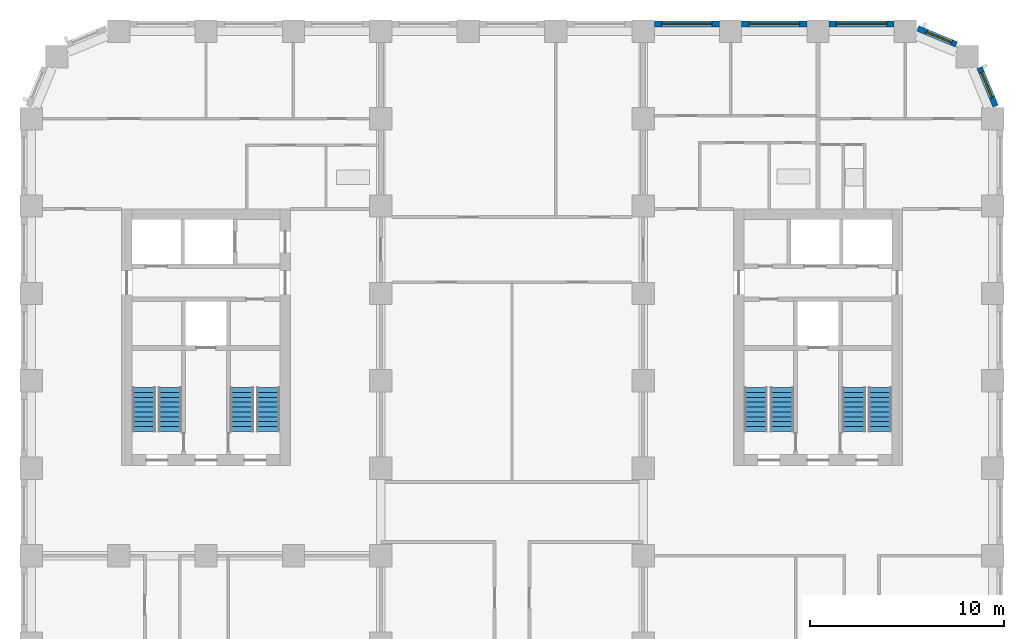
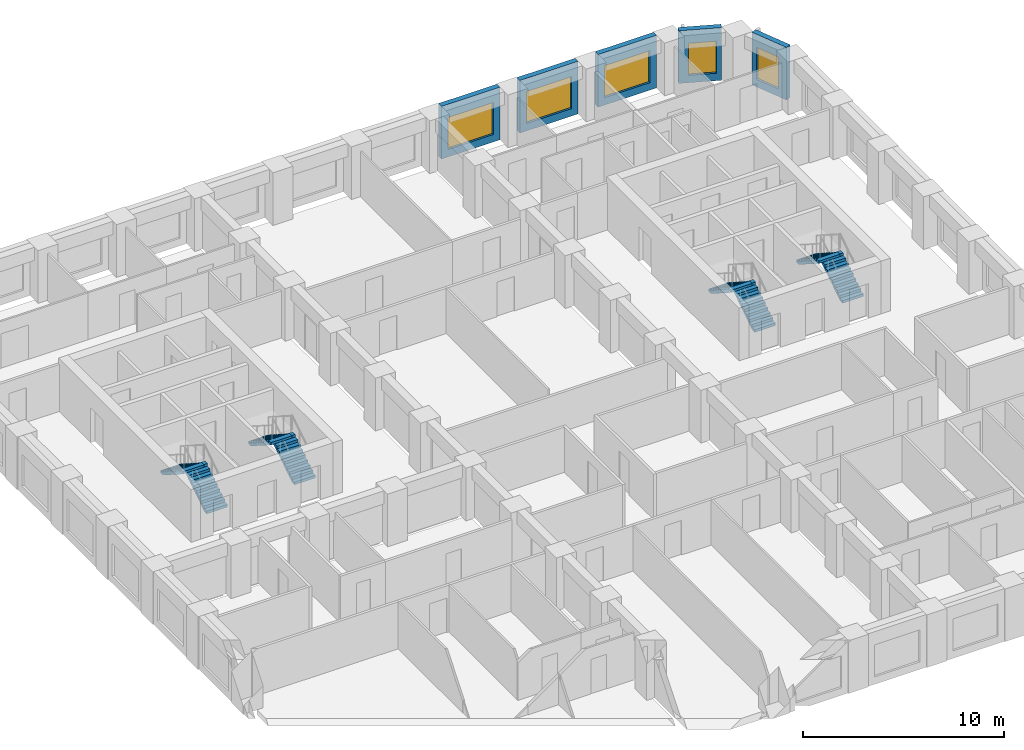
# One storey, part 9 of 12: 8 stair flights, 5 walls, 5 windows, 5 openings, 4 elements without a shape of their own.
"""IFC4 building model written with IfcOpenShell, lengths in metres."""

import ifcopenshell
import ifcopenshell.guid

model = None  # the IFC model being written
_history = None  # IfcOwnerHistory: only IFC2X3 demands one
_inside = {}  # id of a spatial element -> (the spatial element, [elements in it])
_under = {}  # id of a project, library or spatial element -> (it, [spatial elements below it])
_declared = {}  # id of a project -> (the project, [libraries it declares])
_typed = {}  # id of a type object -> (the type object, [elements of that type])
_made_of = {}  # id of a material, layer set ... -> (it, [elements and type objects made of it])


def new_model(schema):
    """Start an empty IFC model of exactly this schema.

    Asked for "IFC4X3", IfcOpenShell would pick the latest addendum, in which some entities
    have other attributes; the version numbers below select the first issue.
    IFC2X3 requires an IfcOwnerHistory on every rooted entity: one is made here for all.
    """
    global model, _history
    if schema == "IFC4X3":
        model = ifcopenshell.file(schema_version=(4, 3, 0, 0))
    else:
        model = ifcopenshell.file(schema=schema)
    _inside.clear()
    _under.clear()
    _declared.clear()
    _typed.clear()
    _made_of.clear()
    _history = None
    if model.schema == "IFC2X3":
        org = make("IfcOrganization", Name="unknown")
        user = make(
            "IfcPersonAndOrganization",
            ThePerson=make("IfcPerson", FamilyName="unknown"),
            TheOrganization=org,
        )
        app = make(
            "IfcApplication",
            ApplicationDeveloper=org,
            Version="unknown",
            ApplicationFullName="unknown",
            ApplicationIdentifier="unknown",
        )
        _history = make(
            "IfcOwnerHistory",
            OwningUser=user,
            OwningApplication=app,
            ChangeAction="ADDED",
            CreationDate=0,
        )
    return model


def make(cls, **values):
    """One entity of the class cls with the attributes given. An attribute that is None is left unset."""
    return model.create_entity(
        cls, **{name: value for name, value in values.items() if value is not None}
    )


def rooted(cls, **values):
    """An entity with a GlobalId (a new one), such as an element, a storey or a relation."""
    return make(cls, GlobalId=ifcopenshell.guid.new(), OwnerHistory=_history, **values)


def si_unit(unit_type, name, prefix=None):
    """IfcSIUnit, for example si_unit("LENGTHUNIT", "METRE", prefix="MILLI")."""
    return make("IfcSIUnit", UnitType=unit_type, Prefix=prefix, Name=name)


def assignment(units):
    """IfcUnitAssignment: the units of a project."""
    return None if units is None else make("IfcUnitAssignment", Units=units)


def point(xyz):
    """IfcCartesianPoint."""
    return None if xyz is None else make("IfcCartesianPoint", Coordinates=xyz)


def direction(xyz):
    """IfcDirection."""
    return None if xyz is None else make("IfcDirection", DirectionRatios=xyz)


def frame(location, z_axis=None, x_axis=None):
    """IfcAxis2Placement3D, a coordinate frame: its origin and axes. An axis left out is left unset."""
    return make(
        "IfcAxis2Placement3D",
        Location=point(location),
        Axis=direction(z_axis),
        RefDirection=direction(x_axis),
    )


def frame_2d(location, x_axis=None):
    """IfcAxis2Placement2D, a coordinate frame in the plane: its origin and x axis."""
    return make(
        "IfcAxis2Placement2D", Location=point(location), RefDirection=direction(x_axis)
    )


def origin():
    """The frame at (0, 0, 0) with its axes left unset."""
    return frame((0.0, 0.0, 0.0))


def place(relative_to, where):
    """IfcLocalPlacement: puts the frame where relative to a parent placement (None: the world)."""
    return make(
        "IfcLocalPlacement", PlacementRelTo=relative_to, RelativePlacement=where
    )


def context(
    kind, dimensions, precision=None, world=None, true_north=None, identifier=None
):
    """IfcGeometricRepresentationContext, for example the 3D "Model" context."""
    return make(
        "IfcGeometricRepresentationContext",
        ContextIdentifier=identifier,
        ContextType=kind,
        CoordinateSpaceDimension=dimensions,
        Precision=precision,
        WorldCoordinateSystem=world,
        TrueNorth=true_north,
    )


def subcontext(parent, identifier, kind, view, scale=None):
    """IfcGeometricRepresentationSubContext, for example "Body" below "Model"."""
    return make(
        "IfcGeometricRepresentationSubContext",
        ContextIdentifier=identifier,
        ContextType=kind,
        ParentContext=parent,
        TargetScale=scale,
        TargetView=view,
    )


def project(units=None, contexts=None):
    """IfcProject with its units and contexts."""
    return rooted(
        "IfcProject",
        Name="project",
        RepresentationContexts=contexts,
        UnitsInContext=assignment(units),
    )


def spatial(cls, under=None, at=None, **own):
    """A site, building, storey or space (cls), placed at a placement, below another one or the project."""
    s = rooted(cls, ObjectPlacement=at, **own)
    if under is not None:
        _under.setdefault(under.id(), (under, []))[1].append(s)
    return s


def polyline(points):
    """IfcPolyline through the points."""
    return make("IfcPolyline", Points=[point(p) for p in points])


def profile(cls, at=None, kind="AREA", **sizes):
    """A parametric profile (cls). Its sizes go by their IFC names, for example OverallWidth=200.0."""
    return make(cls, ProfileType=kind, Position=at, **sizes)


def rectangle(**sizes):
    """IfcRectangleProfileDef."""
    return profile("IfcRectangleProfileDef", **sizes)


def outline(outer, holes=None, kind="AREA"):
    """IfcArbitraryClosedProfileDef: a profile drawn as a closed curve; with holes, ...WithVoids."""
    if holes is None:
        return make("IfcArbitraryClosedProfileDef", ProfileType=kind, OuterCurve=outer)
    return make(
        "IfcArbitraryProfileDefWithVoids",
        ProfileType=kind,
        OuterCurve=outer,
        InnerCurves=holes,
    )


def extrude(swept, where, along, depth):
    """IfcExtrudedAreaSolid: the profile swept, set in the frame where, extruded along a direction by depth."""
    return make(
        "IfcExtrudedAreaSolid",
        SweptArea=swept,
        Position=where,
        ExtrudedDirection=direction(along),
        Depth=depth,
    )


def shape(context_of_items, identifier, shape_type, items):
    """IfcShapeRepresentation: the items that make up one representation, for example the "Body"."""
    return make(
        "IfcShapeRepresentation",
        ContextOfItems=context_of_items,
        RepresentationIdentifier=identifier,
        RepresentationType=shape_type,
        Items=items,
    )


def material(Name=None, Category=None):
    """IfcMaterial."""
    return make("IfcMaterial", Name=Name, Category=Category)


def layer(
    of_material, thickness, ventilated=None, Name=None, Category=None, Priority=None
):
    """IfcMaterialLayer: one layer of a wall or slab, of a material (None: an air gap)."""
    return make(
        "IfcMaterialLayer",
        Material=of_material,
        LayerThickness=thickness,
        IsVentilated=ventilated,
        Name=Name,
        Category=Category,
        Priority=Priority,
    )


def layer_set(layers, Name=None):
    """IfcMaterialLayerSet."""
    return make("IfcMaterialLayerSet", MaterialLayers=layers, LayerSetName=Name)


def made_of(thing, what):
    """Note that an element or type object is made of a material, layer set ...; save() writes the relation."""
    if what is not None:
        _made_of.setdefault(what.id(), (what, []))[1].append(thing)
    return thing


def type_object(cls, material=None, **own):
    """A type object (cls), such as IfcWallType, which elements share."""
    return made_of(rooted(cls, **own), material)


def element(
    cls,
    number,
    at=None,
    inside=None,
    cuts=None,
    type_object=None,
    material=None,
    context=None,
    identifier="Body",
    shape_type=None,
    held_by="IfcProductDefinitionShape",
    body=None,
    shapes=None,
    **own,
):
    """One element of the class cls, such as IfcWall. Its Tag is "e" and its number.

    at: its placement. inside: the storey or other place that contains it. cuts: it is an
    opening in that element (IfcRelVoidsElement). A single representation is given by context,
    identifier, shape_type and body (its items); several are given by shapes. held_by: the class
    of the entity that holds the representations. save() writes the other relations.
    """
    e = rooted(cls, Tag="e%d" % number, ObjectPlacement=at, **own)
    if body is not None:
        shapes = [shape(context, identifier, shape_type, body)]
    if shapes is not None:
        e.Representation = make(held_by, Representations=shapes)
    if inside is not None:
        _inside.setdefault(inside.id(), (inside, []))[1].append(e)
    if cuts is not None:
        rooted(
            "IfcRelVoidsElement", RelatingBuildingElement=cuts, RelatedOpeningElement=e
        )
    if type_object is not None:
        _typed.setdefault(type_object.id(), (type_object, []))[1].append(e)
    return made_of(e, material)


def fill(opening, filler):
    """IfcRelFillsElement: the door or window that sits in an opening."""
    return rooted(
        "IfcRelFillsElement",
        RelatingOpeningElement=opening,
        RelatedBuildingElement=filler,
    )


def aggregate(whole, parts):
    """IfcRelAggregates: a whole, such as a stair, and the parts it consists of."""
    return rooted("IfcRelAggregates", RelatingObject=whole, RelatedObjects=parts)


def save(model, path):
    """Write the relations noted so far, then the file.

    IfcRelAggregates (storeys below a building ...), IfcRelContainedInSpatialStructure (elements
    in a storey), IfcRelDefinesByType, IfcRelAssociatesMaterial and IfcRelDeclares: one each for
    every whole, place, type object, material and project.
    """
    for whole, parts in _under.values():
        aggregate(whole, parts)
    for where, things in _inside.values():
        rooted(
            "IfcRelContainedInSpatialStructure",
            RelatedElements=things,
            RelatingStructure=where,
        )
    for kind, things in _typed.values():
        rooted("IfcRelDefinesByType", RelatedObjects=things, RelatingType=kind)
    for what, things in _made_of.values():
        rooted("IfcRelAssociatesMaterial", RelatedObjects=things, RelatingMaterial=what)
    for by, libraries in _declared.values():
        rooted("IfcRelDeclares", RelatingContext=by, RelatedDefinitions=libraries)
    model.write(path)


model = new_model("IFC4")

# Units and contexts
model_context = context("Model", 3, precision=1e-05, world=origin(), true_north=direction((0.0, 1.0)))
body_context = subcontext(model_context, "Body", "Model", "MODEL_VIEW")
ifc_project = project(units=[si_unit("LENGTHUNIT", "METRE"), si_unit("AREAUNIT", "SQUARE_METRE"), si_unit("VOLUMEUNIT", "CUBIC_METRE"), si_unit("PLANEANGLEUNIT", "RADIAN"), si_unit("MASSUNIT", "GRAM", prefix="KILO")], contexts=[model_context])

# Site, building, storey
site_placement = place(None, origin())
site = spatial("IfcSite", under=ifc_project, at=site_placement, CompositionType="ELEMENT")
building_placement = place(site_placement, origin())
building = spatial("IfcBuilding", under=site, at=building_placement, Name="Girih Gate Residences", CompositionType="ELEMENT")
storey_placement = place(building_placement, frame((0.0, 0.0, 121.60009765625)))
storey = spatial("IfcBuildingStorey", under=building, at=storey_placement, Name="L34", CompositionType="ELEMENT", Elevation=121.60009765625)

# Wall, opening, window
ifc_material_1 = material(Name="Precast concrete C50/60", Category="concrete")
ifc_layer_1 = layer(ifc_material_1, 0.080078125, Name="Outer leaf")
ifc_material_2 = material(Name="Rigid PIR insulation")
ifc_layer_2 = layer(ifc_material_2, 0.14990234375, Name="Insulation")
ifc_material_3 = material(Name="Precast concrete C40/50", Category="concrete")
ifc_layer_3 = layer(ifc_material_3, 0.070068359375, Name="Inner leaf")
ifc_layer_set = layer_set([ifc_layer_1, ifc_layer_2, ifc_layer_3], Name="Precast concrete C50/60 external wall 300")
wall_type = type_object("IfcWallType", Name="Precast concrete C50/60 external wall 300", PredefinedType="SOLIDWALL", material=ifc_layer_set)
wall_1_placement = place(storey_placement, frame((48.81591796875, 47.63134765625, 0.0), z_axis=(0.0, 0.0, 1.0), x_axis=(0.382723818695, -0.923862802911, 0.0)))
wall_1 = element("IfcWall", 1, at=wall_1_placement, inside=storey, type_object=wall_type, Name="External wall NE0495_0450.0", PredefinedType="SOLIDWALL", context=body_context, shape_type="SweptSolid", body=[
    extrude(rectangle(XDim=2.163818359375, YDim=0.300048828125, at=frame_2d((1.08203125, 0.0))), origin(), (0.0, 0.0, 1.0), 3.199951171875),
])
opening_1_placement = place(wall_1_placement, frame((0.270751953125, 0.0, 0.449951171875)))
opening_1 = element("IfcOpeningElement", 2, at=opening_1_placement, cuts=wall_1, Name="Opening W-2D", PredefinedType="OPENING", context=body_context, shape_type="SweptSolid", body=[
    extrude(rectangle(XDim=1.39990234375, YDim=1.949951171875, at=frame_2d((0.699951171875, 0.97509765625))), frame((0.0, 0.159912109375, 0.0), z_axis=(0.0, -1.0, 0.0), x_axis=(1.0, 0.0, 0.0)), (0.0, 0.0, 1.0), 0.320068359375),
])
ifc_material_4 = material(Name="Double glazing in aluminium frame", Category="aluminium")
window_type_1 = type_object("IfcWindowType", Name="Window W-2D 1400x1950", PartitioningType="SINGLE_PANEL", PredefinedType="WINDOW", material=ifc_material_4)
window_1_placement = place(opening_1_placement, origin())
window_1 = element("IfcWindow", 3, at=window_1_placement, inside=storey, type_object=window_type_1, Name="Window W-2D NE0495_0450.0", OverallHeight=1.949951171875, OverallWidth=1.39990234375, PartitioningType="SINGLE_PANEL", PredefinedType="WINDOW", context=body_context, shape_type="SweptSolid", body=[
    extrude(rectangle(XDim=1.39990234375, YDim=1.949951171875, at=frame_2d((0.699951171875, 0.97509765625))), frame((0.0, 0.030029296875, 0.0), z_axis=(0.0, -1.0, 0.0), x_axis=(1.0, 0.0, 0.0)), (0.0, 0.0, 1.0), 0.06005859375),
])
fill(opening_1, window_1)

wall_2_placement = place(storey_placement, frame((45.63232421875, 49.64404296875, 0.0), z_axis=(0.0, 0.0, 1.0), x_axis=(0.923862802911, -0.382723818695, 0.0)))
wall_2 = element("IfcWall", 4, at=wall_2_placement, inside=storey, type_object=wall_type, Name="External wall NE0482_0482.0", PredefinedType="SOLIDWALL", context=body_context, shape_type="SweptSolid", body=[
    extrude(rectangle(XDim=2.163818359375, YDim=0.300048828125, at=frame_2d((1.08203125, 0.0))), origin(), (0.0, 0.0, 1.0), 3.199951171875),
])
opening_2_placement = place(wall_2_placement, frame((0.492919921875, 0.0, 0.449951171875)))
opening_2 = element("IfcOpeningElement", 5, at=opening_2_placement, cuts=wall_2, Name="Opening W-2D", PredefinedType="OPENING", context=body_context, shape_type="SweptSolid", body=[
    extrude(rectangle(XDim=1.39990234375, YDim=1.949951171875, at=frame_2d((0.699951171875, 0.97509765625))), frame((0.0, 0.159912109375, 0.0), z_axis=(0.0, -1.0, 0.0), x_axis=(1.0, 0.0, 0.0)), (0.0, 0.0, 1.0), 0.320068359375),
])
window_2_placement = place(opening_2_placement, origin())
window_2 = element("IfcWindow", 6, at=window_2_placement, inside=storey, type_object=window_type_1, Name="Window W-2D NE0482_0482.0", OverallHeight=1.949951171875, OverallWidth=1.39990234375, PartitioningType="SINGLE_PANEL", PredefinedType="WINDOW", context=body_context, shape_type="SweptSolid", body=[
    extrude(rectangle(XDim=1.39990234375, YDim=1.949951171875, at=frame_2d((0.699951171875, 0.97509765625))), frame((0.0, 0.030029296875, 0.0), z_axis=(0.0, -1.0, 0.0), x_axis=(1.0, 0.0, 0.0)), (0.0, 0.0, 1.0), 0.06005859375),
])
fill(opening_2, window_2)

wall_3_placement = place(storey_placement, frame((41.074951171875, 49.875, 0.0), z_axis=(0.0, 0.0, 1.0), x_axis=(1.0, 0.0, 0.0)))
wall_3 = element("IfcWall", 7, at=wall_3_placement, inside=storey, type_object=wall_type, Name="External wall N0450_0495.0", PredefinedType="SOLIDWALL", context=body_context, shape_type="SweptSolid", body=[
    extrude(rectangle(XDim=3.35009765625, YDim=0.300048828125, at=frame_2d((1.675048828125, 0.0))), origin(), (0.0, 0.0, 1.0), 3.199951171875),
])
opening_3_placement = place(wall_3_placement, frame((0.375, 0.0, 0.449951171875)))
opening_3 = element("IfcOpeningElement", 8, at=opening_3_placement, cuts=wall_3, Name="Opening W-1A", PredefinedType="OPENING", context=body_context, shape_type="SweptSolid", body=[
    extrude(rectangle(XDim=2.60009765625, YDim=1.949951171875, at=frame_2d((1.300048828125, 0.97509765625))), frame((0.0, 0.159912109375, 0.0), z_axis=(0.0, -1.0, 0.0), x_axis=(1.0, 0.0, 0.0)), (0.0, 0.0, 1.0), 0.320068359375),
])
window_type_2 = type_object("IfcWindowType", Name="Window W-1A 2600x1950", PartitioningType="SINGLE_PANEL", PredefinedType="WINDOW", material=ifc_material_4)
window_3_placement = place(opening_3_placement, origin())
window_3 = element("IfcWindow", 9, at=window_3_placement, inside=storey, type_object=window_type_2, Name="Window W-1A N0450_0495.0", OverallHeight=1.949951171875, OverallWidth=2.60009765625, PartitioningType="SINGLE_PANEL", PredefinedType="WINDOW", context=body_context, shape_type="SweptSolid", body=[
    extrude(rectangle(XDim=2.60009765625, YDim=1.949951171875, at=frame_2d((1.300048828125, 0.97509765625))), frame((0.0, 0.030029296875, 0.0), z_axis=(0.0, -1.0, 0.0), x_axis=(1.0, 0.0, 0.0)), (0.0, 0.0, 1.0), 0.06005859375),
])
fill(opening_3, window_3)

wall_4_placement = place(storey_placement, frame((36.574951171875, 49.875, 0.0), z_axis=(0.0, 0.0, 1.0), x_axis=(1.0, 0.0, 0.0)))
wall_4 = element("IfcWall", 10, at=wall_4_placement, inside=storey, type_object=wall_type, Name="External wall N0450_0495.1", PredefinedType="SOLIDWALL", context=body_context, shape_type="SweptSolid", body=[
    extrude(rectangle(XDim=3.35009765625, YDim=0.300048828125, at=frame_2d((1.675048828125, 0.0))), origin(), (0.0, 0.0, 1.0), 3.199951171875),
])
opening_4_placement = place(wall_4_placement, frame((0.375, 0.0, 0.449951171875)))
opening_4 = element("IfcOpeningElement", 11, at=opening_4_placement, cuts=wall_4, Name="Opening W-1A", PredefinedType="OPENING", context=body_context, shape_type="SweptSolid", body=[
    extrude(rectangle(XDim=2.60009765625, YDim=1.949951171875, at=frame_2d((1.300048828125, 0.97509765625))), frame((0.0, 0.159912109375, 0.0), z_axis=(0.0, -1.0, 0.0), x_axis=(1.0, 0.0, 0.0)), (0.0, 0.0, 1.0), 0.320068359375),
])
window_4_placement = place(opening_4_placement, origin())
window_4 = element("IfcWindow", 12, at=window_4_placement, inside=storey, type_object=window_type_2, Name="Window W-1A N0450_0495.1", OverallHeight=1.949951171875, OverallWidth=2.60009765625, PartitioningType="SINGLE_PANEL", PredefinedType="WINDOW", context=body_context, shape_type="SweptSolid", body=[
    extrude(rectangle(XDim=2.60009765625, YDim=1.949951171875, at=frame_2d((1.300048828125, 0.97509765625))), frame((0.0, 0.030029296875, 0.0), z_axis=(0.0, -1.0, 0.0), x_axis=(1.0, 0.0, 0.0)), (0.0, 0.0, 1.0), 0.06005859375),
])
fill(opening_4, window_4)

wall_5_placement = place(storey_placement, frame((32.074951171875, 49.875, 0.0), z_axis=(0.0, 0.0, 1.0), x_axis=(1.0, 0.0, 0.0)))
wall_5 = element("IfcWall", 13, at=wall_5_placement, inside=storey, type_object=wall_type, Name="External wall N0450_0495.2", PredefinedType="SOLIDWALL", context=body_context, shape_type="SweptSolid", body=[
    extrude(rectangle(XDim=3.35009765625, YDim=0.300048828125, at=frame_2d((1.675048828125, 0.0))), origin(), (0.0, 0.0, 1.0), 3.199951171875),
])
opening_5_placement = place(wall_5_placement, frame((0.375, 0.0, 0.449951171875)))
opening_5 = element("IfcOpeningElement", 14, at=opening_5_placement, cuts=wall_5, Name="Opening W-1A", PredefinedType="OPENING", context=body_context, shape_type="SweptSolid", body=[
    extrude(rectangle(XDim=2.60009765625, YDim=1.949951171875, at=frame_2d((1.300048828125, 0.97509765625))), frame((0.0, 0.159912109375, 0.0), z_axis=(0.0, -1.0, 0.0), x_axis=(1.0, 0.0, 0.0)), (0.0, 0.0, 1.0), 0.320068359375),
])
window_5_placement = place(opening_5_placement, origin())
window_5 = element("IfcWindow", 15, at=window_5_placement, inside=storey, type_object=window_type_2, Name="Window W-1A N0450_0495.2", OverallHeight=1.949951171875, OverallWidth=2.60009765625, PartitioningType="SINGLE_PANEL", PredefinedType="WINDOW", context=body_context, shape_type="SweptSolid", body=[
    extrude(rectangle(XDim=2.60009765625, YDim=1.949951171875, at=frame_2d((1.300048828125, 0.97509765625))), frame((0.0, 0.030029296875, 0.0), z_axis=(0.0, -1.0, 0.0), x_axis=(1.0, 0.0, 0.0)), (0.0, 0.0, 1.0), 0.06005859375),
])
fill(opening_5, window_5)

# Stair, stair flights
ifc_material_5 = material(Name="Concrete C40/50", Category="concrete")
stair_type = type_object("IfcStairType", Name="Exit stair", PredefinedType="HALF_TURN_STAIR", material=ifc_material_5)
stair_1_placement = place(storey_placement, origin())
stair_1 = element("IfcStair", 16, at=stair_1_placement, inside=storey, type_object=stair_type, Name="L34 Exit Stair ST-W1", PredefinedType="HALF_TURN_STAIR")
stair_flight_type = type_object("IfcStairFlightType", Name="Stair flight 1200", PredefinedType="STRAIGHT", material=ifc_material_5)
stair_flight_1_placement = place(storey_placement, frame((7.14990234375, 28.89990234375, 0.0), z_axis=(0.0, 0.0, 1.0), x_axis=(0.0, 1.0, 0.0)))
stair_flight_1 = element("IfcStairFlight", 17, at=stair_flight_1_placement, type_object=stair_flight_type, Name="ST-W1 flight 1", NumberOfRisers=10, NumberOfTreads=9, PredefinedType="STRAIGHT", RiserHeight=0.16, TreadLength=0.25, context=body_context, shape_type="SweptSolid", body=[
    extrude(outline(polyline([(0.0, 0.0), (0.0, 0.159912109375), (0.25, 0.159912109375), (0.25, 0.320068359375), (0.5, 0.320068359375), (0.5, 0.47998046875), (0.75, 0.47998046875), (0.75, 0.639892578125), (1.0, 0.639892578125), (1.0, 0.800048828125), (1.25, 0.800048828125), (1.25, 0.9599609375), (1.5, 0.9599609375), (1.5, 1.1201171875), (1.75, 1.1201171875), (1.75, 1.280029296875), (2.0, 1.280029296875), (2.0, 1.43994140625), (2.25, 1.43994140625), (2.25, 1.60009765625), (2.25, 1.29736328125), (0.222900390625, 0.0), (0.0, 0.0)])), frame((0.0, 0.60009765625, 0.0), z_axis=(0.0, -1.0, 0.0), x_axis=(1.0, 0.0, 0.0)), (0.0, 0.0, 1.0), 1.199951171875),
])
stair_flight_2_placement = place(storey_placement, frame((5.800048828125, 31.14990234375, 1.599853515625), z_axis=(0.0, 0.0, 1.0), x_axis=(0.0, -1.0, 0.0)))
stair_flight_2 = element("IfcStairFlight", 18, at=stair_flight_2_placement, type_object=stair_flight_type, Name="ST-W1 flight 2", NumberOfRisers=10, NumberOfTreads=9, PredefinedType="STRAIGHT", RiserHeight=0.16, TreadLength=0.25, context=body_context, shape_type="SweptSolid", body=[
    extrude(outline(polyline([(0.0, 0.0), (0.0, 0.159912109375), (0.25, 0.159912109375), (0.25, 0.320068359375), (0.5, 0.320068359375), (0.5, 0.47998046875), (0.75, 0.47998046875), (0.75, 0.639892578125), (1.0, 0.639892578125), (1.0, 0.800048828125), (1.25, 0.800048828125), (1.25, 0.9599609375), (1.5, 0.9599609375), (1.5, 1.1201171875), (1.75, 1.1201171875), (1.75, 1.280029296875), (2.0, 1.280029296875), (2.0, 1.43994140625), (2.25, 1.43994140625), (2.25, 1.60009765625), (2.25, 1.29736328125), (0.222900390625, 0.0), (0.0, 0.0)])), frame((0.0, 0.60009765625, 0.0), z_axis=(0.0, -1.0, 0.0), x_axis=(1.0, 0.0, 0.0)), (0.0, 0.0, 1.0), 1.199951171875),
])
aggregate(stair_1, [stair_flight_1, stair_flight_2])

stair_2_placement = place(storey_placement, origin())
stair_2 = element("IfcStair", 19, at=stair_2_placement, inside=storey, type_object=stair_type, Name="L34 Exit Stair ST-W2", PredefinedType="HALF_TURN_STAIR")
stair_flight_3_placement = place(storey_placement, frame((12.199951171875, 28.89990234375, 0.0), z_axis=(0.0, 0.0, 1.0), x_axis=(0.0, 1.0, 0.0)))
stair_flight_3 = element("IfcStairFlight", 20, at=stair_flight_3_placement, type_object=stair_flight_type, Name="ST-W2 flight 1", NumberOfRisers=10, NumberOfTreads=9, PredefinedType="STRAIGHT", RiserHeight=0.16, TreadLength=0.25, context=body_context, shape_type="SweptSolid", body=[
    extrude(outline(polyline([(0.0, 0.0), (0.0, 0.159912109375), (0.25, 0.159912109375), (0.25, 0.320068359375), (0.5, 0.320068359375), (0.5, 0.47998046875), (0.75, 0.47998046875), (0.75, 0.639892578125), (1.0, 0.639892578125), (1.0, 0.800048828125), (1.25, 0.800048828125), (1.25, 0.9599609375), (1.5, 0.9599609375), (1.5, 1.1201171875), (1.75, 1.1201171875), (1.75, 1.280029296875), (2.0, 1.280029296875), (2.0, 1.43994140625), (2.25, 1.43994140625), (2.25, 1.60009765625), (2.25, 1.29736328125), (0.222900390625, 0.0), (0.0, 0.0)])), frame((0.0, 0.60009765625, 0.0), z_axis=(0.0, -1.0, 0.0), x_axis=(1.0, 0.0, 0.0)), (0.0, 0.0, 1.0), 1.199951171875),
])
stair_flight_4_placement = place(storey_placement, frame((10.85009765625, 31.14990234375, 1.599853515625), z_axis=(0.0, 0.0, 1.0), x_axis=(0.0, -1.0, 0.0)))
stair_flight_4 = element("IfcStairFlight", 21, at=stair_flight_4_placement, type_object=stair_flight_type, Name="ST-W2 flight 2", NumberOfRisers=10, NumberOfTreads=9, PredefinedType="STRAIGHT", RiserHeight=0.16, TreadLength=0.25, context=body_context, shape_type="SweptSolid", body=[
    extrude(outline(polyline([(0.0, 0.0), (0.0, 0.159912109375), (0.25, 0.159912109375), (0.25, 0.320068359375), (0.5, 0.320068359375), (0.5, 0.47998046875), (0.75, 0.47998046875), (0.75, 0.639892578125), (1.0, 0.639892578125), (1.0, 0.800048828125), (1.25, 0.800048828125), (1.25, 0.9599609375), (1.5, 0.9599609375), (1.5, 1.1201171875), (1.75, 1.1201171875), (1.75, 1.280029296875), (2.0, 1.280029296875), (2.0, 1.43994140625), (2.25, 1.43994140625), (2.25, 1.60009765625), (2.25, 1.29736328125), (0.222900390625, 0.0), (0.0, 0.0)])), frame((0.0, 0.60009765625, 0.0), z_axis=(0.0, -1.0, 0.0), x_axis=(1.0, 0.0, 0.0)), (0.0, 0.0, 1.0), 1.199951171875),
])
aggregate(stair_2, [stair_flight_3, stair_flight_4])

stair_3_placement = place(storey_placement, origin())
stair_3 = element("IfcStair", 22, at=stair_3_placement, inside=storey, type_object=stair_type, Name="L34 Exit Stair ST-E1", PredefinedType="HALF_TURN_STAIR")
stair_flight_5_placement = place(storey_placement, frame((43.699951171875, 28.89990234375, 0.0), z_axis=(0.0, 0.0, 1.0), x_axis=(0.0, 1.0, 0.0)))
stair_flight_5 = element("IfcStairFlight", 23, at=stair_flight_5_placement, type_object=stair_flight_type, Name="ST-E1 flight 1", NumberOfRisers=10, NumberOfTreads=9, PredefinedType="STRAIGHT", RiserHeight=0.16, TreadLength=0.25, context=body_context, shape_type="SweptSolid", body=[
    extrude(outline(polyline([(0.0, 0.0), (0.0, 0.159912109375), (0.25, 0.159912109375), (0.25, 0.320068359375), (0.5, 0.320068359375), (0.5, 0.47998046875), (0.75, 0.47998046875), (0.75, 0.639892578125), (1.0, 0.639892578125), (1.0, 0.800048828125), (1.25, 0.800048828125), (1.25, 0.9599609375), (1.5, 0.9599609375), (1.5, 1.1201171875), (1.75, 1.1201171875), (1.75, 1.280029296875), (2.0, 1.280029296875), (2.0, 1.43994140625), (2.25, 1.43994140625), (2.25, 1.60009765625), (2.25, 1.29736328125), (0.222900390625, 0.0), (0.0, 0.0)])), frame((0.0, 0.60009765625, 0.0), z_axis=(0.0, -1.0, 0.0), x_axis=(1.0, 0.0, 0.0)), (0.0, 0.0, 1.0), 1.199951171875),
])
stair_flight_6_placement = place(storey_placement, frame((42.35009765625, 31.14990234375, 1.599853515625), z_axis=(0.0, 0.0, 1.0), x_axis=(0.0, -1.0, 0.0)))
stair_flight_6 = element("IfcStairFlight", 24, at=stair_flight_6_placement, type_object=stair_flight_type, Name="ST-E1 flight 2", NumberOfRisers=10, NumberOfTreads=9, PredefinedType="STRAIGHT", RiserHeight=0.16, TreadLength=0.25, context=body_context, shape_type="SweptSolid", body=[
    extrude(outline(polyline([(0.0, 0.0), (0.0, 0.159912109375), (0.25, 0.159912109375), (0.25, 0.320068359375), (0.5, 0.320068359375), (0.5, 0.47998046875), (0.75, 0.47998046875), (0.75, 0.639892578125), (1.0, 0.639892578125), (1.0, 0.800048828125), (1.25, 0.800048828125), (1.25, 0.9599609375), (1.5, 0.9599609375), (1.5, 1.1201171875), (1.75, 1.1201171875), (1.75, 1.280029296875), (2.0, 1.280029296875), (2.0, 1.43994140625), (2.25, 1.43994140625), (2.25, 1.60009765625), (2.25, 1.29736328125), (0.222900390625, 0.0), (0.0, 0.0)])), frame((0.0, 0.60009765625, 0.0), z_axis=(0.0, -1.0, 0.0), x_axis=(1.0, 0.0, 0.0)), (0.0, 0.0, 1.0), 1.199951171875),
])
aggregate(stair_3, [stair_flight_5, stair_flight_6])

stair_4_placement = place(storey_placement, origin())
stair_4 = element("IfcStair", 25, at=stair_4_placement, inside=storey, type_object=stair_type, Name="L34 Exit Stair ST-E2", PredefinedType="HALF_TURN_STAIR")
stair_flight_7_placement = place(storey_placement, frame((38.64990234375, 28.89990234375, 0.0), z_axis=(0.0, 0.0, 1.0), x_axis=(0.0, 1.0, 0.0)))
stair_flight_7 = element("IfcStairFlight", 26, at=stair_flight_7_placement, type_object=stair_flight_type, Name="ST-E2 flight 1", NumberOfRisers=10, NumberOfTreads=9, PredefinedType="STRAIGHT", RiserHeight=0.16, TreadLength=0.25, context=body_context, shape_type="SweptSolid", body=[
    extrude(outline(polyline([(0.0, 0.0), (0.0, 0.159912109375), (0.25, 0.159912109375), (0.25, 0.320068359375), (0.5, 0.320068359375), (0.5, 0.47998046875), (0.75, 0.47998046875), (0.75, 0.639892578125), (1.0, 0.639892578125), (1.0, 0.800048828125), (1.25, 0.800048828125), (1.25, 0.9599609375), (1.5, 0.9599609375), (1.5, 1.1201171875), (1.75, 1.1201171875), (1.75, 1.280029296875), (2.0, 1.280029296875), (2.0, 1.43994140625), (2.25, 1.43994140625), (2.25, 1.60009765625), (2.25, 1.29736328125), (0.222900390625, 0.0), (0.0, 0.0)])), frame((0.0, 0.60009765625, 0.0), z_axis=(0.0, -1.0, 0.0), x_axis=(1.0, 0.0, 0.0)), (0.0, 0.0, 1.0), 1.199951171875),
])
stair_flight_8_placement = place(storey_placement, frame((37.300048828125, 31.14990234375, 1.599853515625), z_axis=(0.0, 0.0, 1.0), x_axis=(0.0, -1.0, 0.0)))
stair_flight_8 = element("IfcStairFlight", 27, at=stair_flight_8_placement, type_object=stair_flight_type, Name="ST-E2 flight 2", NumberOfRisers=10, NumberOfTreads=9, PredefinedType="STRAIGHT", RiserHeight=0.16, TreadLength=0.25, context=body_context, shape_type="SweptSolid", body=[
    extrude(outline(polyline([(0.0, 0.0), (0.0, 0.159912109375), (0.25, 0.159912109375), (0.25, 0.320068359375), (0.5, 0.320068359375), (0.5, 0.47998046875), (0.75, 0.47998046875), (0.75, 0.639892578125), (1.0, 0.639892578125), (1.0, 0.800048828125), (1.25, 0.800048828125), (1.25, 0.9599609375), (1.5, 0.9599609375), (1.5, 1.1201171875), (1.75, 1.1201171875), (1.75, 1.280029296875), (2.0, 1.280029296875), (2.0, 1.43994140625), (2.25, 1.43994140625), (2.25, 1.60009765625), (2.25, 1.29736328125), (0.222900390625, 0.0), (0.0, 0.0)])), frame((0.0, 0.60009765625, 0.0), z_axis=(0.0, -1.0, 0.0), x_axis=(1.0, 0.0, 0.0)), (0.0, 0.0, 1.0), 1.199951171875),
])
aggregate(stair_4, [stair_flight_7, stair_flight_8])

save(model, "model.ifc")
